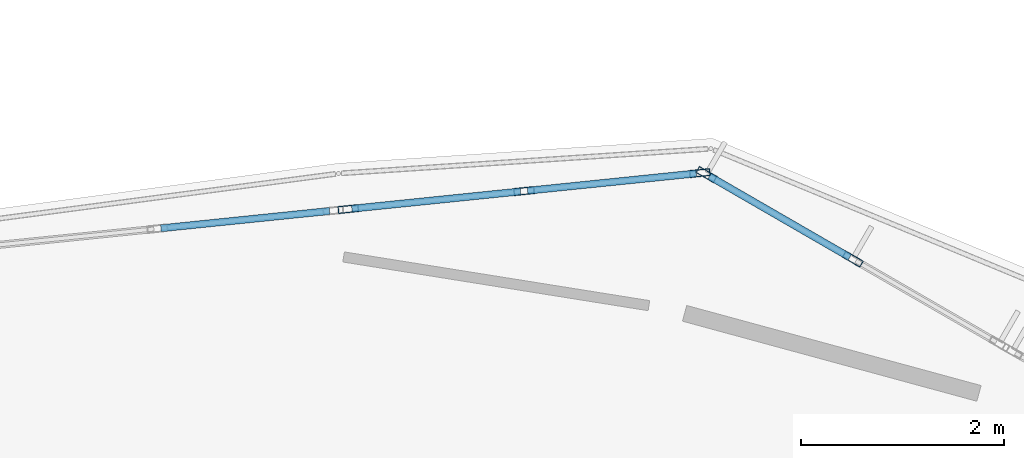
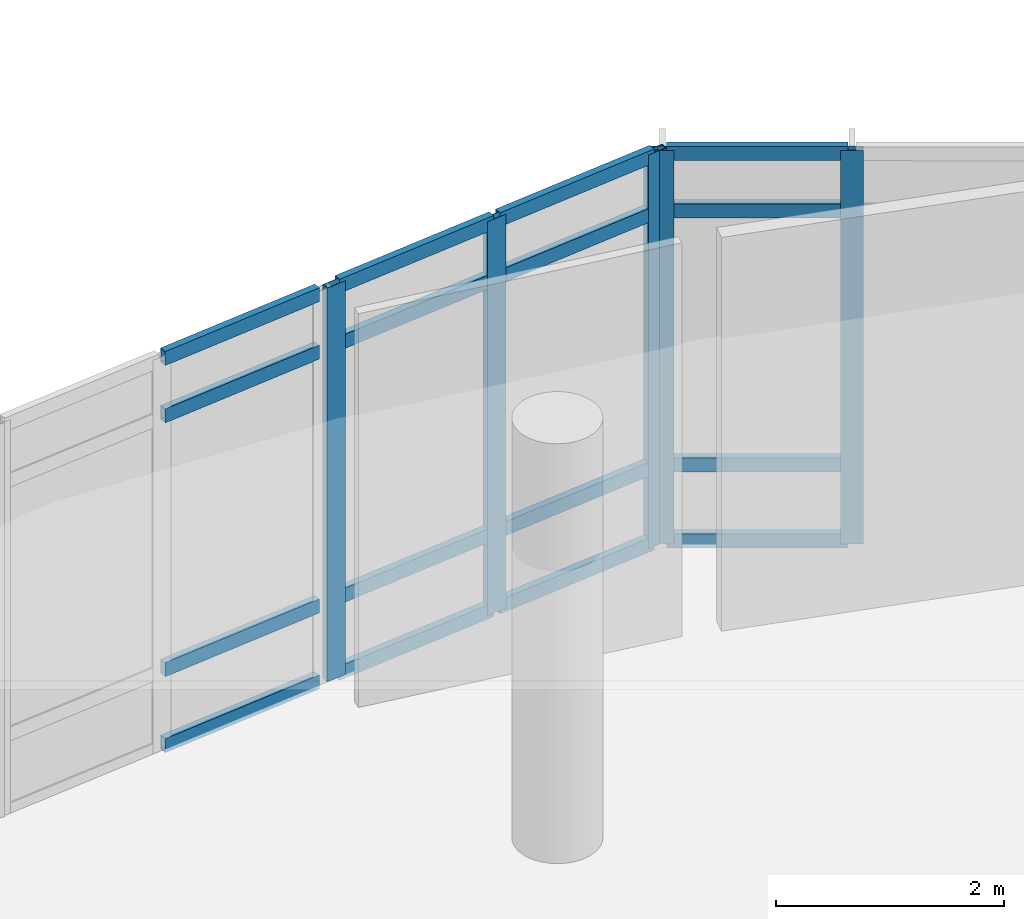
# One storey, part 18 of 46: 21 members, 3 elements without a shape of their own.
"""IFC4 building model written with IfcOpenShell, lengths in metres."""

from ifc_helpers import new_model, si_unit, derived_unit, direction, frame, origin, origin_2d, place, context, subcontext, project, spatial, hollow_rectangle, extrude, material, layer, layer_set, material_profile, profile_set, type_object, element, aggregate, save


model = new_model("IFC4")

# Units and contexts
model_context = context("Model", 3, precision=1e-05, world=origin(), true_north=direction((0.0, 1.0)))
body_context = subcontext(model_context, "Body", "Model", "MODEL_VIEW")
ifc_project = project(units=[si_unit("LENGTHUNIT", "METRE"), si_unit("AREAUNIT", "SQUARE_METRE"), si_unit("VOLUMEUNIT", "CUBIC_METRE"), si_unit("PLANEANGLEUNIT", "RADIAN"), si_unit("MASSUNIT", "GRAM", prefix="KILO"), derived_unit("THERMALTRANSMITTANCEUNIT", [(si_unit("POWERUNIT", "WATT"), 1), (si_unit("LENGTHUNIT", "METRE"), -2), (si_unit("THERMODYNAMICTEMPERATUREUNIT", "KELVIN"), -1)])], contexts=[model_context])

# Site, building, storey
site_placement = place(None, origin())
site = spatial("IfcSite", under=ifc_project, at=site_placement, CompositionType="ELEMENT")
building_placement = place(site_placement, origin())
building = spatial("IfcBuilding", under=site, at=building_placement, Name="Elbkamm Science Centre", CompositionType="ELEMENT")
storey_placement = place(building_placement, frame((0.0, 0.0, 9.89990234375)))
storey = spatial("IfcBuildingStorey", under=building, at=storey_placement, Name="L02", CompositionType="ELEMENT", Elevation=9.89990234375)

# Curtain wall, members
ifc_material_1 = material(Name="Powder-coated aluminium and triple low-E glazing", Category="aluminium")
ifc_layer_1 = layer(ifc_material_1, 0.159912109375)
ifc_layer_set_1 = layer_set([ifc_layer_1], Name="Powder-coated aluminium and triple low-E glazing")
curtain_wall_type_1 = type_object("IfcCurtainWallType", Name="CW-UNIT-3400x4220", PredefinedType="USERDEFINED", material=ifc_layer_set_1)
curtain_wall_1_placement = place(storey_placement, origin())
curtain_wall_1 = element("IfcCurtainWall", 1, at=curtain_wall_1_placement, inside=storey, type_object=curtain_wall_type_1, Name="L02 Unitised Curtain Wall 025", ObjectType="UNITISED CURTAIN WALL", PredefinedType="USERDEFINED")
ifc_material_2 = material(Name="Powder-coated aluminium EN AW-6060", Category="aluminium")
ifc_material_profile_1 = material_profile(ifc_material_2, hollow_rectangle(XDim=0.070068359375, YDim=0.199951171875, WallThickness=0.00439453125, at=origin_2d()), Name="ALU M70x200")
ifc_profile_set_1 = profile_set([ifc_material_profile_1], Name="Powder-coated aluminium EN AW-6060")
member_type_1 = type_object("IfcMemberType", Name="CW-MUL-70x200", PredefinedType="MULLION", material=ifc_profile_set_1)
member_1_placement = place(storey_placement, frame((73.611083984375, 88.370849609375, 0.0), z_axis=(0.0, 0.0, 1.0), x_axis=(-0.500320720834, -0.865840156324, 0.0)))
member_1 = element("IfcMember", 2, at=member_1_placement, type_object=member_type_1, Name="CW-014 mullion 2", PredefinedType="MULLION", context=body_context, shape_type="SweptSolid", body=[
    extrude(hollow_rectangle(XDim=0.070068359375, YDim=0.199951171875, WallThickness=0.00439453125, at=origin_2d()), origin(), (0.0, 0.0, 1.0), 4.22021484375),
])
member_2_placement = place(storey_placement, frame((72.169677734375, 89.203857421875, 0.0), z_axis=(0.0, 0.0, 1.0), x_axis=(-0.500320720834, -0.865840156324, 0.0)))
member_2 = element("IfcMember", 3, at=member_2_placement, type_object=member_type_1, Name="CW-014 mullion 3", PredefinedType="MULLION", context=body_context, shape_type="SweptSolid", body=[
    extrude(hollow_rectangle(XDim=0.070068359375, YDim=0.199951171875, WallThickness=0.00439453125, at=origin_2d()), origin(), (0.0, 0.0, 1.0), 4.22021484375),
])

ifc_layer_2 = layer(ifc_material_1, 0.159912109375)
ifc_layer_set_2 = layer_set([ifc_layer_2], Name="Powder-coated aluminium and triple low-E glazing")
curtain_wall_type_2 = type_object("IfcCurtainWallType", Name="CW-UNIT-3540x4220", PredefinedType="USERDEFINED", material=ifc_layer_set_2)
curtain_wall_2_placement = place(storey_placement, origin())
curtain_wall_2 = element("IfcCurtainWall", 4, at=curtain_wall_2_placement, inside=storey, type_object=curtain_wall_type_2, Name="L02 Unitised Curtain Wall 026", ObjectType="UNITISED CURTAIN WALL", PredefinedType="USERDEFINED")
member_3_placement = place(storey_placement, frame((72.1044921875, 89.2177734375, 0.0), z_axis=(0.0, 0.0, 1.0), x_axis=(0.101905869017, -0.994794045951, 0.0)))
member_3 = element("IfcMember", 5, at=member_3_placement, type_object=member_type_1, Name="CW-015 mullion 1", PredefinedType="MULLION", context=body_context, shape_type="SweptSolid", body=[
    extrude(hollow_rectangle(XDim=0.070068359375, YDim=0.199951171875, WallThickness=0.00439453125, at=origin_2d()), origin(), (0.0, 0.0, 1.0), 4.22021484375),
])
member_4_placement = place(storey_placement, frame((70.374267578125, 89.04052734375, 0.0), z_axis=(0.0, 0.0, 1.0), x_axis=(0.101905869017, -0.994794045951, 0.0)))
member_4 = element("IfcMember", 6, at=member_4_placement, type_object=member_type_1, Name="CW-015 mullion 2", PredefinedType="MULLION", context=body_context, shape_type="SweptSolid", body=[
    extrude(hollow_rectangle(XDim=0.070068359375, YDim=0.199951171875, WallThickness=0.00439453125, at=origin_2d()), origin(), (0.0, 0.0, 1.0), 4.22021484375),
])
member_5_placement = place(storey_placement, frame((68.644287109375, 88.86328125, 0.0), z_axis=(0.0, 0.0, 1.0), x_axis=(0.101905869017, -0.994794045951, 0.0)))
member_5 = element("IfcMember", 7, at=member_5_placement, type_object=member_type_1, Name="CW-015 mullion 3", PredefinedType="MULLION", context=body_context, shape_type="SweptSolid", body=[
    extrude(hollow_rectangle(XDim=0.070068359375, YDim=0.199951171875, WallThickness=0.00439453125, at=origin_2d()), origin(), (0.0, 0.0, 1.0), 4.22021484375),
])

# Member
ifc_material_profile_2 = material_profile(ifc_material_2, hollow_rectangle(XDim=0.070068359375, YDim=0.14990234375, WallThickness=0.00390625, at=origin_2d()), Name="ALU T70x150")
ifc_profile_set_2 = profile_set([ifc_material_profile_2], Name="Powder-coated aluminium EN AW-6060")
member_type_2 = type_object("IfcMemberType", Name="CW-TRN-70x150", PredefinedType="USERDEFINED", material=ifc_profile_set_2)
member_6_placement = place(storey_placement, frame((73.580810546875, 88.388427734375, 0.03515625), z_axis=(-0.865859178689, 0.500287799851, 0.0), x_axis=(-0.500287799851, -0.865859178689, 0.0)))
member_6 = element("IfcMember", 8, at=member_6_placement, type_object=member_type_2, Name="CW-014 transom 2.1", ObjectType="TRANSOM", PredefinedType="USERDEFINED", context=body_context, shape_type="SweptSolid", body=[
    extrude(hollow_rectangle(XDim=0.070068359375, YDim=0.14990234375, WallThickness=0.00390625, at=origin_2d()), origin(), (0.0, 0.0, 1.0), 1.5947265625),
])

member_7_placement = place(storey_placement, frame((73.580810546875, 88.388427734375, 0.85009765625), z_axis=(-0.865859178689, 0.500287799851, 0.0), x_axis=(-0.500287799851, -0.865859178689, 0.0)))
member_7 = element("IfcMember", 9, at=member_7_placement, type_object=member_type_2, Name="CW-014 transom 2.2", ObjectType="TRANSOM", PredefinedType="USERDEFINED", context=body_context, shape_type="SweptSolid", body=[
    extrude(hollow_rectangle(XDim=0.070068359375, YDim=0.14990234375, WallThickness=0.00390625, at=origin_2d()), origin(), (0.0, 0.0, 1.0), 1.5947265625),
])

member_8_placement = place(storey_placement, frame((73.580810546875, 88.388427734375, 3.570068359375), z_axis=(-0.865859178689, 0.500287799851, 0.0), x_axis=(-0.500287799851, -0.865859178689, 0.0)))
member_8 = element("IfcMember", 10, at=member_8_placement, type_object=member_type_2, Name="CW-014 transom 2.3", ObjectType="TRANSOM", PredefinedType="USERDEFINED", context=body_context, shape_type="SweptSolid", body=[
    extrude(hollow_rectangle(XDim=0.070068359375, YDim=0.14990234375, WallThickness=0.00390625, at=origin_2d()), origin(), (0.0, 0.0, 1.0), 1.5947265625),
])

member_9_placement = place(storey_placement, frame((73.580810546875, 88.388427734375, 4.18505859375), z_axis=(-0.865859178689, 0.500287799851, 0.0), x_axis=(-0.500287799851, -0.865859178689, 0.0)))
member_9 = element("IfcMember", 11, at=member_9_placement, type_object=member_type_2, Name="CW-014 transom 2.4", ObjectType="TRANSOM", PredefinedType="USERDEFINED", context=body_context, shape_type="SweptSolid", body=[
    extrude(hollow_rectangle(XDim=0.070068359375, YDim=0.14990234375, WallThickness=0.00390625, at=origin_2d()), origin(), (0.0, 0.0, 1.0), 1.5947265625),
])

aggregate(curtain_wall_1, [member_1, member_2, member_6, member_7, member_8, member_9])

member_10_placement = place(storey_placement, frame((72.069580078125, 89.21435546875, 0.03515625), z_axis=(-0.994789429551, -0.101950923746, 0.0), x_axis=(0.101950923746, -0.994789429551, 0.0)))
member_10 = element("IfcMember", 12, at=member_10_placement, type_object=member_type_2, Name="CW-015 transom 1.1", ObjectType="TRANSOM", PredefinedType="USERDEFINED", context=body_context, shape_type="SweptSolid", body=[
    extrude(hollow_rectangle(XDim=0.070068359375, YDim=0.14990234375, WallThickness=0.00390625, at=origin_2d()), origin(), (0.0, 0.0, 1.0), 1.669189453125),
])

member_11_placement = place(storey_placement, frame((72.069580078125, 89.21435546875, 0.85009765625), z_axis=(-0.994789429551, -0.101950923746, 0.0), x_axis=(0.101950923746, -0.994789429551, 0.0)))
member_11 = element("IfcMember", 13, at=member_11_placement, type_object=member_type_2, Name="CW-015 transom 1.2", ObjectType="TRANSOM", PredefinedType="USERDEFINED", context=body_context, shape_type="SweptSolid", body=[
    extrude(hollow_rectangle(XDim=0.070068359375, YDim=0.14990234375, WallThickness=0.00390625, at=origin_2d()), origin(), (0.0, 0.0, 1.0), 1.669189453125),
])

member_12_placement = place(storey_placement, frame((72.069580078125, 89.21435546875, 3.570068359375), z_axis=(-0.994789429551, -0.101950923746, 0.0), x_axis=(0.101950923746, -0.994789429551, 0.0)))
member_12 = element("IfcMember", 14, at=member_12_placement, type_object=member_type_2, Name="CW-015 transom 1.3", ObjectType="TRANSOM", PredefinedType="USERDEFINED", context=body_context, shape_type="SweptSolid", body=[
    extrude(hollow_rectangle(XDim=0.070068359375, YDim=0.14990234375, WallThickness=0.00390625, at=origin_2d()), origin(), (0.0, 0.0, 1.0), 1.669189453125),
])

member_13_placement = place(storey_placement, frame((72.069580078125, 89.21435546875, 4.18505859375), z_axis=(-0.994789429551, -0.101950923746, 0.0), x_axis=(0.101950923746, -0.994789429551, 0.0)))
member_13 = element("IfcMember", 15, at=member_13_placement, type_object=member_type_2, Name="CW-015 transom 1.4", ObjectType="TRANSOM", PredefinedType="USERDEFINED", context=body_context, shape_type="SweptSolid", body=[
    extrude(hollow_rectangle(XDim=0.070068359375, YDim=0.14990234375, WallThickness=0.00390625, at=origin_2d()), origin(), (0.0, 0.0, 1.0), 1.669189453125),
])

member_14_placement = place(storey_placement, frame((70.339599609375, 89.037109375, 0.03515625), z_axis=(-0.99479094956, -0.101936091127, 0.0), x_axis=(0.101936091127, -0.99479094956, 0.0)))
member_14 = element("IfcMember", 16, at=member_14_placement, type_object=member_type_2, Name="CW-015 transom 2.1", ObjectType="TRANSOM", PredefinedType="USERDEFINED", context=body_context, shape_type="SweptSolid", body=[
    extrude(hollow_rectangle(XDim=0.070068359375, YDim=0.14990234375, WallThickness=0.00390625, at=origin_2d()), origin(), (0.0, 0.0, 1.0), 1.66943359375),
])

member_15_placement = place(storey_placement, frame((70.339599609375, 89.037109375, 0.85009765625), z_axis=(-0.99479094956, -0.101936091127, 0.0), x_axis=(0.101936091127, -0.99479094956, 0.0)))
member_15 = element("IfcMember", 17, at=member_15_placement, type_object=member_type_2, Name="CW-015 transom 2.2", ObjectType="TRANSOM", PredefinedType="USERDEFINED", context=body_context, shape_type="SweptSolid", body=[
    extrude(hollow_rectangle(XDim=0.070068359375, YDim=0.14990234375, WallThickness=0.00390625, at=origin_2d()), origin(), (0.0, 0.0, 1.0), 1.66943359375),
])

member_16_placement = place(storey_placement, frame((70.339599609375, 89.037109375, 3.570068359375), z_axis=(-0.99479094956, -0.101936091127, 0.0), x_axis=(0.101936091127, -0.99479094956, 0.0)))
member_16 = element("IfcMember", 18, at=member_16_placement, type_object=member_type_2, Name="CW-015 transom 2.3", ObjectType="TRANSOM", PredefinedType="USERDEFINED", context=body_context, shape_type="SweptSolid", body=[
    extrude(hollow_rectangle(XDim=0.070068359375, YDim=0.14990234375, WallThickness=0.00390625, at=origin_2d()), origin(), (0.0, 0.0, 1.0), 1.66943359375),
])

member_17_placement = place(storey_placement, frame((70.339599609375, 89.037109375, 4.18505859375), z_axis=(-0.99479094956, -0.101936091127, 0.0), x_axis=(0.101936091127, -0.99479094956, 0.0)))
member_17 = element("IfcMember", 19, at=member_17_placement, type_object=member_type_2, Name="CW-015 transom 2.4", ObjectType="TRANSOM", PredefinedType="USERDEFINED", context=body_context, shape_type="SweptSolid", body=[
    extrude(hollow_rectangle(XDim=0.070068359375, YDim=0.14990234375, WallThickness=0.00390625, at=origin_2d()), origin(), (0.0, 0.0, 1.0), 1.66943359375),
])

aggregate(curtain_wall_2, [member_3, member_4, member_5, member_10, member_11, member_12, member_13, member_14, member_15, member_16, member_17])

# Curtain wall, members
curtain_wall_3_placement = place(storey_placement, origin())
curtain_wall_3 = element("IfcCurtainWall", 20, at=curtain_wall_3_placement, inside=storey, type_object=curtain_wall_type_2, Name="L02 Unitised Curtain Wall 027", ObjectType="UNITISED CURTAIN WALL", PredefinedType="USERDEFINED")
member_18_placement = place(storey_placement, frame((68.460205078125, 88.844482421875, 0.03515625), z_axis=(-0.994789429551, -0.101950923746, 0.0), x_axis=(0.101950923746, -0.994789429551, 0.0)))
member_18 = element("IfcMember", 21, at=member_18_placement, type_object=member_type_2, Name="CW-015 transom 1.1", ObjectType="TRANSOM", PredefinedType="USERDEFINED", context=body_context, shape_type="SweptSolid", body=[
    extrude(hollow_rectangle(XDim=0.070068359375, YDim=0.14990234375, WallThickness=0.00390625, at=origin_2d()), origin(), (0.0, 0.0, 1.0), 1.669189453125),
])
member_19_placement = place(storey_placement, frame((68.460205078125, 88.844482421875, 0.85009765625), z_axis=(-0.994789429551, -0.101950923746, 0.0), x_axis=(0.101950923746, -0.994789429551, 0.0)))
member_19 = element("IfcMember", 22, at=member_19_placement, type_object=member_type_2, Name="CW-015 transom 1.2", ObjectType="TRANSOM", PredefinedType="USERDEFINED", context=body_context, shape_type="SweptSolid", body=[
    extrude(hollow_rectangle(XDim=0.070068359375, YDim=0.14990234375, WallThickness=0.00390625, at=origin_2d()), origin(), (0.0, 0.0, 1.0), 1.669189453125),
])
member_20_placement = place(storey_placement, frame((68.460205078125, 88.844482421875, 3.570068359375), z_axis=(-0.994789429551, -0.101950923746, 0.0), x_axis=(0.101950923746, -0.994789429551, 0.0)))
member_20 = element("IfcMember", 23, at=member_20_placement, type_object=member_type_2, Name="CW-015 transom 1.3", ObjectType="TRANSOM", PredefinedType="USERDEFINED", context=body_context, shape_type="SweptSolid", body=[
    extrude(hollow_rectangle(XDim=0.070068359375, YDim=0.14990234375, WallThickness=0.00390625, at=origin_2d()), origin(), (0.0, 0.0, 1.0), 1.669189453125),
])
member_21_placement = place(storey_placement, frame((68.460205078125, 88.844482421875, 4.18505859375), z_axis=(-0.994789429551, -0.101950923746, 0.0), x_axis=(0.101950923746, -0.994789429551, 0.0)))
member_21 = element("IfcMember", 24, at=member_21_placement, type_object=member_type_2, Name="CW-015 transom 1.4", ObjectType="TRANSOM", PredefinedType="USERDEFINED", context=body_context, shape_type="SweptSolid", body=[
    extrude(hollow_rectangle(XDim=0.070068359375, YDim=0.14990234375, WallThickness=0.00390625, at=origin_2d()), origin(), (0.0, 0.0, 1.0), 1.669189453125),
])
aggregate(curtain_wall_3, [member_18, member_19, member_20, member_21])

save(model, "model.ifc")
